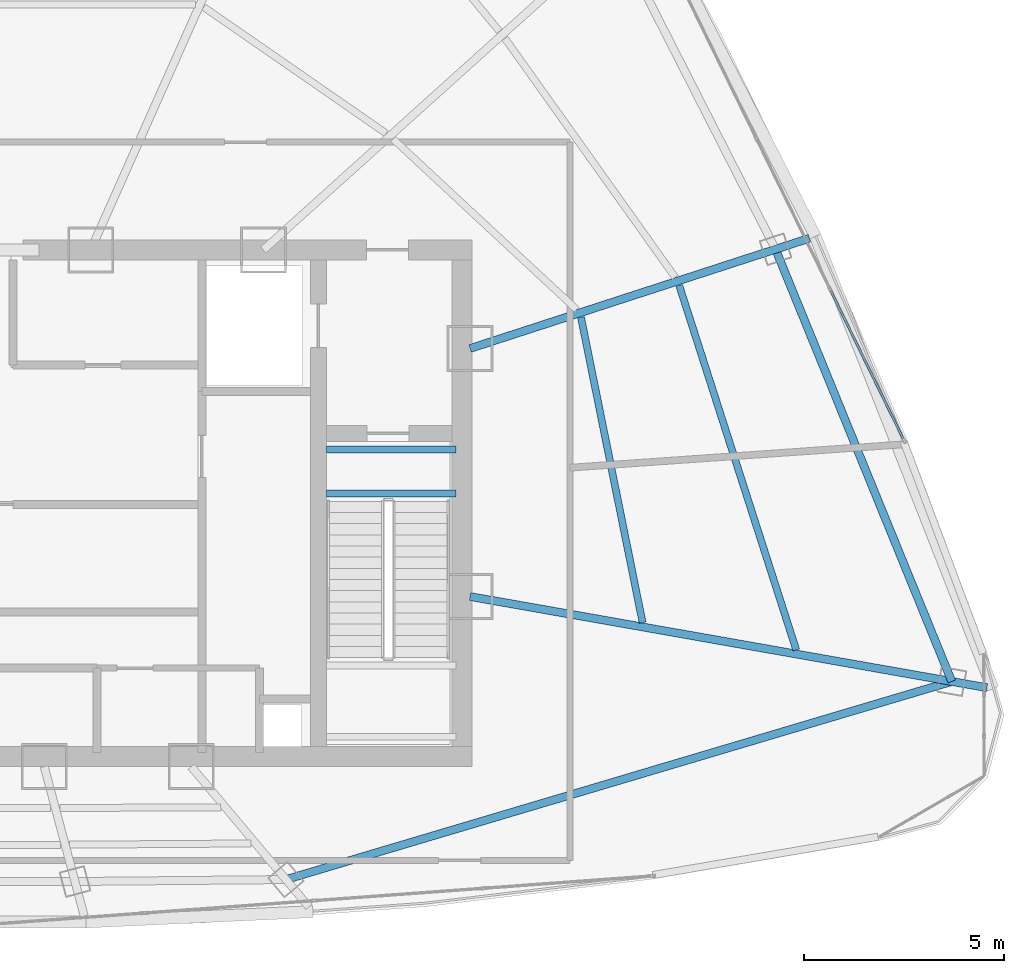
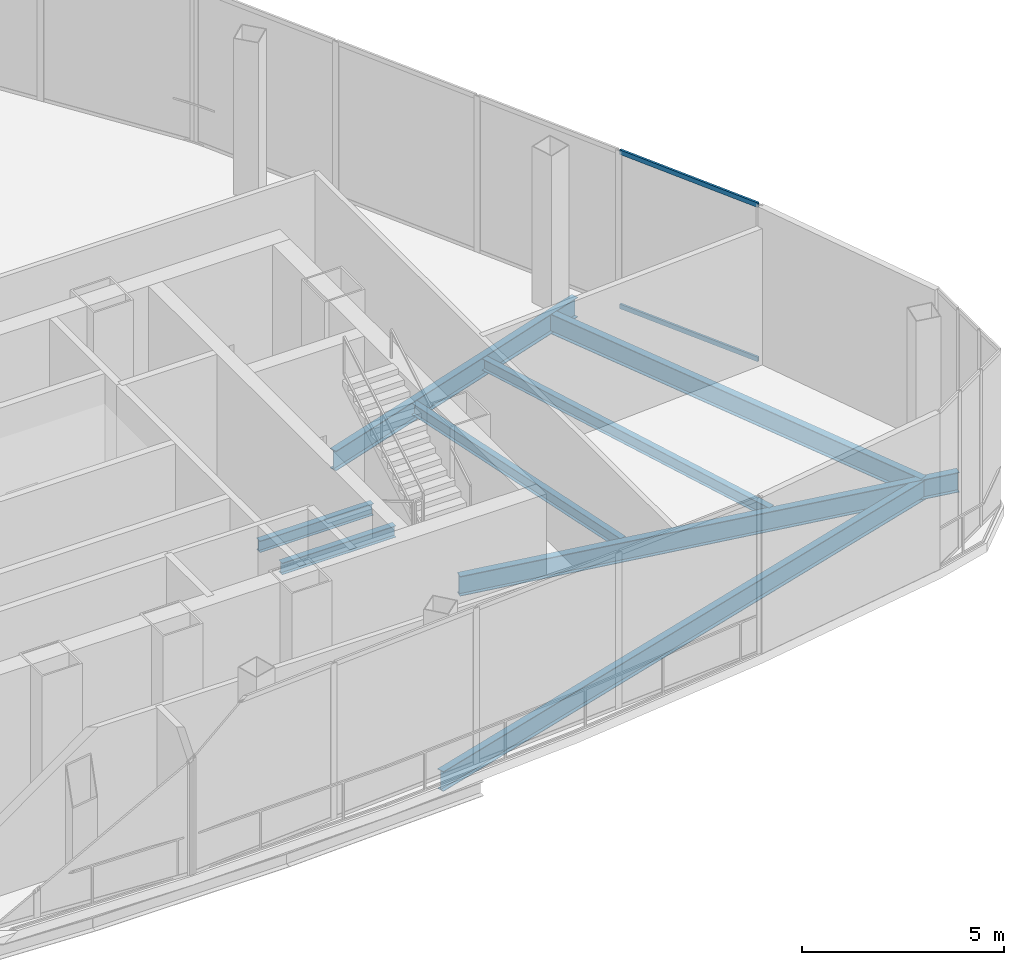
# One storey, part 15 of 33: 8 beams, 2 members, 1 element without a shape of its own.
"""IFC4 building model written with IfcOpenShell, lengths in metres."""

import ifcopenshell
import ifcopenshell.guid

model = None  # the IFC model being written
_history = None  # IfcOwnerHistory: only IFC2X3 demands one
_inside = {}  # id of a spatial element -> (the spatial element, [elements in it])
_under = {}  # id of a project, library or spatial element -> (it, [spatial elements below it])
_declared = {}  # id of a project -> (the project, [libraries it declares])
_typed = {}  # id of a type object -> (the type object, [elements of that type])
_made_of = {}  # id of a material, layer set ... -> (it, [elements and type objects made of it])


def new_model(schema):
    """Start an empty IFC model of exactly this schema.

    Asked for "IFC4X3", IfcOpenShell would pick the latest addendum, in which some entities
    have other attributes; the version numbers below select the first issue.
    IFC2X3 requires an IfcOwnerHistory on every rooted entity: one is made here for all.
    """
    global model, _history
    if schema == "IFC4X3":
        model = ifcopenshell.file(schema_version=(4, 3, 0, 0))
    else:
        model = ifcopenshell.file(schema=schema)
    _inside.clear()
    _under.clear()
    _declared.clear()
    _typed.clear()
    _made_of.clear()
    _history = None
    if model.schema == "IFC2X3":
        org = make("IfcOrganization", Name="unknown")
        user = make(
            "IfcPersonAndOrganization",
            ThePerson=make("IfcPerson", FamilyName="unknown"),
            TheOrganization=org,
        )
        app = make(
            "IfcApplication",
            ApplicationDeveloper=org,
            Version="unknown",
            ApplicationFullName="unknown",
            ApplicationIdentifier="unknown",
        )
        _history = make(
            "IfcOwnerHistory",
            OwningUser=user,
            OwningApplication=app,
            ChangeAction="ADDED",
            CreationDate=0,
        )
    return model


def make(cls, **values):
    """One entity of the class cls with the attributes given. An attribute that is None is left unset."""
    return model.create_entity(
        cls, **{name: value for name, value in values.items() if value is not None}
    )


def rooted(cls, **values):
    """An entity with a GlobalId (a new one), such as an element, a storey or a relation."""
    return make(cls, GlobalId=ifcopenshell.guid.new(), OwnerHistory=_history, **values)


def si_unit(unit_type, name, prefix=None):
    """IfcSIUnit, for example si_unit("LENGTHUNIT", "METRE", prefix="MILLI")."""
    return make("IfcSIUnit", UnitType=unit_type, Prefix=prefix, Name=name)


def assignment(units):
    """IfcUnitAssignment: the units of a project."""
    return None if units is None else make("IfcUnitAssignment", Units=units)


def point(xyz):
    """IfcCartesianPoint."""
    return None if xyz is None else make("IfcCartesianPoint", Coordinates=xyz)


def direction(xyz):
    """IfcDirection."""
    return None if xyz is None else make("IfcDirection", DirectionRatios=xyz)


def frame(location, z_axis=None, x_axis=None):
    """IfcAxis2Placement3D, a coordinate frame: its origin and axes. An axis left out is left unset."""
    return make(
        "IfcAxis2Placement3D",
        Location=point(location),
        Axis=direction(z_axis),
        RefDirection=direction(x_axis),
    )


def frame_2d(location, x_axis=None):
    """IfcAxis2Placement2D, a coordinate frame in the plane: its origin and x axis."""
    return make(
        "IfcAxis2Placement2D", Location=point(location), RefDirection=direction(x_axis)
    )


def origin():
    """The frame at (0, 0, 0) with its axes left unset."""
    return frame((0.0, 0.0, 0.0))


def origin_2d():
    """The frame at (0, 0) in the plane with its x axis left unset."""
    return frame_2d((0.0, 0.0))


def place(relative_to, where):
    """IfcLocalPlacement: puts the frame where relative to a parent placement (None: the world)."""
    return make(
        "IfcLocalPlacement", PlacementRelTo=relative_to, RelativePlacement=where
    )


def context(
    kind, dimensions, precision=None, world=None, true_north=None, identifier=None
):
    """IfcGeometricRepresentationContext, for example the 3D "Model" context."""
    return make(
        "IfcGeometricRepresentationContext",
        ContextIdentifier=identifier,
        ContextType=kind,
        CoordinateSpaceDimension=dimensions,
        Precision=precision,
        WorldCoordinateSystem=world,
        TrueNorth=true_north,
    )


def subcontext(parent, identifier, kind, view, scale=None):
    """IfcGeometricRepresentationSubContext, for example "Body" below "Model"."""
    return make(
        "IfcGeometricRepresentationSubContext",
        ContextIdentifier=identifier,
        ContextType=kind,
        ParentContext=parent,
        TargetScale=scale,
        TargetView=view,
    )


def project(units=None, contexts=None):
    """IfcProject with its units and contexts."""
    return rooted(
        "IfcProject",
        Name="project",
        RepresentationContexts=contexts,
        UnitsInContext=assignment(units),
    )


def spatial(cls, under=None, at=None, **own):
    """A site, building, storey or space (cls), placed at a placement, below another one or the project."""
    s = rooted(cls, ObjectPlacement=at, **own)
    if under is not None:
        _under.setdefault(under.id(), (under, []))[1].append(s)
    return s


def profile(cls, at=None, kind="AREA", **sizes):
    """A parametric profile (cls). Its sizes go by their IFC names, for example OverallWidth=200.0."""
    return make(cls, ProfileType=kind, Position=at, **sizes)


def hollow_rectangle(**sizes):
    """IfcRectangleHollowProfileDef."""
    return profile("IfcRectangleHollowProfileDef", **sizes)


def i_section(**sizes):
    """IfcIShapeProfileDef."""
    return profile("IfcIShapeProfileDef", **sizes)


def extrude(swept, where, along, depth):
    """IfcExtrudedAreaSolid: the profile swept, set in the frame where, extruded along a direction by depth."""
    return make(
        "IfcExtrudedAreaSolid",
        SweptArea=swept,
        Position=where,
        ExtrudedDirection=direction(along),
        Depth=depth,
    )


def shape(context_of_items, identifier, shape_type, items):
    """IfcShapeRepresentation: the items that make up one representation, for example the "Body"."""
    return make(
        "IfcShapeRepresentation",
        ContextOfItems=context_of_items,
        RepresentationIdentifier=identifier,
        RepresentationType=shape_type,
        Items=items,
    )


def source(mapping_origin, context_of_items, identifier, shape_type, items):
    """IfcRepresentationMap: a shape defined once, which mapped items show again and again."""
    return make(
        "IfcRepresentationMap",
        MappingOrigin=mapping_origin,
        MappedRepresentation=shape(context_of_items, identifier, shape_type, items),
    )


def transform(
    local_origin,
    x_axis=None,
    y_axis=None,
    z_axis=None,
    scale=None,
    scale2=None,
    scale3=None,
    uniform=True,
):
    """IfcCartesianTransformationOperator3D, or its non-uniform kind. x_axis, y_axis, z_axis: its Axis1, 2, 3."""
    if uniform:
        return make(
            "IfcCartesianTransformationOperator3D",
            Axis1=direction(x_axis),
            Axis2=direction(y_axis),
            LocalOrigin=point(local_origin),
            Scale=scale,
            Axis3=direction(z_axis),
        )
    return make(
        "IfcCartesianTransformationOperator3DnonUniform",
        Axis1=direction(x_axis),
        Axis2=direction(y_axis),
        LocalOrigin=point(local_origin),
        Scale=scale,
        Axis3=direction(z_axis),
        Scale2=scale2,
        Scale3=scale3,
    )


def mapped(mapping_source, mapping_target):
    """IfcMappedItem: shows the shape of a source again, moved by a transform."""
    return make(
        "IfcMappedItem", MappingSource=mapping_source, MappingTarget=mapping_target
    )


def material(Name=None, Category=None):
    """IfcMaterial."""
    return make("IfcMaterial", Name=Name, Category=Category)


def layer(
    of_material, thickness, ventilated=None, Name=None, Category=None, Priority=None
):
    """IfcMaterialLayer: one layer of a wall or slab, of a material (None: an air gap)."""
    return make(
        "IfcMaterialLayer",
        Material=of_material,
        LayerThickness=thickness,
        IsVentilated=ventilated,
        Name=Name,
        Category=Category,
        Priority=Priority,
    )


def layer_set(layers, Name=None):
    """IfcMaterialLayerSet."""
    return make("IfcMaterialLayerSet", MaterialLayers=layers, LayerSetName=Name)


def material_profile(
    of_material, cross_section, Name=None, Category=None, Priority=None
):
    """IfcMaterialProfile: a cross section and its material."""
    return make(
        "IfcMaterialProfile",
        Name=Name,
        Material=of_material,
        Profile=cross_section,
        Priority=Priority,
        Category=Category,
    )


def profile_set(profiles, Name=None, composite=None):
    """IfcMaterialProfileSet."""
    return make(
        "IfcMaterialProfileSet",
        Name=Name,
        MaterialProfiles=profiles,
        CompositeProfile=composite,
    )


def made_of(thing, what):
    """Note that an element or type object is made of a material, layer set ...; save() writes the relation."""
    if what is not None:
        _made_of.setdefault(what.id(), (what, []))[1].append(thing)
    return thing


def type_object(cls, material=None, **own):
    """A type object (cls), such as IfcWallType, which elements share."""
    return made_of(rooted(cls, **own), material)


def element(
    cls,
    number,
    at=None,
    inside=None,
    cuts=None,
    type_object=None,
    material=None,
    context=None,
    identifier="Body",
    shape_type=None,
    held_by="IfcProductDefinitionShape",
    body=None,
    shapes=None,
    **own,
):
    """One element of the class cls, such as IfcWall. Its Tag is "e" and its number.

    at: its placement. inside: the storey or other place that contains it. cuts: it is an
    opening in that element (IfcRelVoidsElement). A single representation is given by context,
    identifier, shape_type and body (its items); several are given by shapes. held_by: the class
    of the entity that holds the representations. save() writes the other relations.
    """
    e = rooted(cls, Tag="e%d" % number, ObjectPlacement=at, **own)
    if body is not None:
        shapes = [shape(context, identifier, shape_type, body)]
    if shapes is not None:
        e.Representation = make(held_by, Representations=shapes)
    if inside is not None:
        _inside.setdefault(inside.id(), (inside, []))[1].append(e)
    if cuts is not None:
        rooted(
            "IfcRelVoidsElement", RelatingBuildingElement=cuts, RelatedOpeningElement=e
        )
    if type_object is not None:
        _typed.setdefault(type_object.id(), (type_object, []))[1].append(e)
    return made_of(e, material)


def aggregate(whole, parts):
    """IfcRelAggregates: a whole, such as a stair, and the parts it consists of."""
    return rooted("IfcRelAggregates", RelatingObject=whole, RelatedObjects=parts)


def save(model, path):
    """Write the relations noted so far, then the file.

    IfcRelAggregates (storeys below a building ...), IfcRelContainedInSpatialStructure (elements
    in a storey), IfcRelDefinesByType, IfcRelAssociatesMaterial and IfcRelDeclares: one each for
    every whole, place, type object, material and project.
    """
    for whole, parts in _under.values():
        aggregate(whole, parts)
    for where, things in _inside.values():
        rooted(
            "IfcRelContainedInSpatialStructure",
            RelatedElements=things,
            RelatingStructure=where,
        )
    for kind, things in _typed.values():
        rooted("IfcRelDefinesByType", RelatedObjects=things, RelatingType=kind)
    for what, things in _made_of.values():
        rooted("IfcRelAssociatesMaterial", RelatedObjects=things, RelatingMaterial=what)
    for by, libraries in _declared.values():
        rooted("IfcRelDeclares", RelatingContext=by, RelatedDefinitions=libraries)
    model.write(path)


model = new_model("IFC4")

# Units and contexts
model_context = context("Model", 3, precision=1e-05, world=origin(), true_north=direction((0.0, 1.0)))
body_context = subcontext(model_context, "Body", "Model", "MODEL_VIEW")
ifc_project = project(units=[si_unit("LENGTHUNIT", "METRE"), si_unit("AREAUNIT", "SQUARE_METRE"), si_unit("VOLUMEUNIT", "CUBIC_METRE"), si_unit("PLANEANGLEUNIT", "RADIAN"), si_unit("MASSUNIT", "GRAM", prefix="KILO"), si_unit("THERMODYNAMICTEMPERATUREUNIT", "KELVIN"), si_unit("POWERUNIT", "WATT")], contexts=[model_context])

# Site, building, storey
site_placement = place(None, origin())
site = spatial("IfcSite", under=ifc_project, at=site_placement, CompositionType="ELEMENT")
building_placement = place(site_placement, origin())
building = spatial("IfcBuilding", under=site, at=building_placement, Name="Yunzhuo Pagoda Commons", CompositionType="ELEMENT")
storey_placement = place(building_placement, frame((0.0, 0.0, 386.760009765625)))
storey = spatial("IfcBuildingStorey", under=building, at=storey_placement, Name="L96", CompositionType="ELEMENT", Elevation=386.760009765625)

# Beams
ifc_material_1 = material(Name="Structural steel Q355B", Category="steel")
ifc_material_profile_1 = material_profile(ifc_material_1, i_section(OverallWidth=0.175048828125, OverallDepth=0.35009765625, WebThickness=0.007080078125, FlangeThickness=0.010986328125, at=origin_2d()), Name="Structural steel Q355B")
ifc_profile_set_1 = profile_set([ifc_material_profile_1], Name="Structural steel Q355B")
beam_type_1 = type_object("IfcBeamType", Name="B-JS2 Joist HN 350x175x7x11", PredefinedType="JOIST", material=ifc_profile_set_1)
shared_shape_1 = source(origin(), body_context, "Body", "SweptSolid", [
    extrude(i_section(OverallWidth=0.175048828125, OverallDepth=0.35009765625, WebThickness=0.007080078125, FlangeThickness=0.010986328125, at=origin_2d()), origin(), (0.0, 0.0, 1.0), 3.25),
])
for number, where, z_axis, x_axis, name in (
    (1, (56.800048828125, 34.10009765625, -0.375), (1.0, 0.0, 0.0), (0.0, 1.0, 0.0), "L96 ST2 landing support beam 200A"),
    (2, (56.800048828125, 35.199951171875, -0.375), (1.0, 0.0, 0.0), (0.0, 1.0, 0.0), "L96 ST2 landing support beam 200B"),
):
    element("IfcBeam", number, at=place(storey_placement, frame(where, z_axis=z_axis, x_axis=x_axis)), inside=storey, type_object=beam_type_1, Name=name, PredefinedType="JOIST", context=body_context, shape_type="MappedRepresentation", body=[
        mapped(shared_shape_1, transform((0.0, 0.0, 0.0), scale=1.0)),
    ])
ifc_material_profile_2 = material_profile(ifc_material_1, i_section(OverallWidth=0.199951171875, OverallDepth=0.60009765625, WebThickness=0.010986328125, FlangeThickness=0.01708984375, at=origin_2d()), Name="Structural steel Q355B")
ifc_profile_set_2 = profile_set([ifc_material_profile_2], Name="Structural steel Q355B")
beam_type_2 = type_object("IfcBeamType", Name="B-RG3 Beam HN 600x200x11x17", PredefinedType="BEAM", material=ifc_profile_set_2)
shared_shape_2 = source(origin(), body_context, "Body", "SweptSolid", [
    extrude(i_section(OverallWidth=0.199951171875, OverallDepth=0.60009765625, WebThickness=0.010986328125, FlangeThickness=0.01708984375, at=origin_2d()), origin(), (0.0, 0.0, 1.0), 17.407470703125),
])
beam_1_placement = place(storey_placement, frame((55.785400390625, 24.421630859375, -0.580078125), z_axis=(0.958484984609, 0.285143006717, 0.0), x_axis=(-0.285143006717, 0.958484984609, 0.0)))
element("IfcBeam", 3, at=beam_1_placement, inside=storey, type_object=beam_type_2, Name="L96 column-ring beam 4", PredefinedType="BEAM", context=body_context, shape_type="MappedRepresentation", body=[
    mapped(shared_shape_2, transform((0.0, 0.0, 0.0), scale=1.0)),
])
shared_shape_3 = source(origin(), body_context, "Body", "SweptSolid", [
    extrude(i_section(OverallWidth=0.199951171875, OverallDepth=0.60009765625, WebThickness=0.010986328125, FlangeThickness=0.01708984375, at=origin_2d()), origin(), (0.0, 0.0, 1.0), 11.696533203125),
])
beam_2_placement = place(storey_placement, frame((72.47021484375, 29.38525390625, -0.580078125), z_axis=(-0.377611800863, 0.925963999219, 0.0), x_axis=(-0.925963999219, -0.377611800863, 0.0)))
element("IfcBeam", 4, at=beam_2_placement, inside=storey, type_object=beam_type_2, Name="L96 column-ring beam 5", PredefinedType="BEAM", context=body_context, shape_type="MappedRepresentation", body=[
    mapped(shared_shape_3, transform((0.0, 0.0, 0.0), scale=1.0)),
])
shared_shape_4 = source(origin(), body_context, "Body", "SweptSolid", [
    extrude(i_section(OverallWidth=0.175048828125, OverallDepth=0.35009765625, WebThickness=0.007080078125, FlangeThickness=0.010986328125, at=origin_2d()), origin(), (0.0, 0.0, 1.0), 7.8056640625),
])
beam_3_placement = place(storey_placement, frame((64.722412109375, 30.860107421875, -0.455078125), z_axis=(-0.197830082137, 0.980236327934, 0.0), x_axis=(-0.980236327934, -0.197830082137, 0.0)))
element("IfcBeam", 5, at=beam_3_placement, inside=storey, type_object=beam_type_1, Name="L96 composite ring joist 1.5", PredefinedType="JOIST", context=body_context, shape_type="MappedRepresentation", body=[
    mapped(shared_shape_4, transform((0.0, 0.0, 0.0), scale=1.0)),
])
shared_shape_5 = source(origin(), body_context, "Body", "SweptSolid", [
    extrude(i_section(OverallWidth=0.175048828125, OverallDepth=0.35009765625, WebThickness=0.007080078125, FlangeThickness=0.010986328125, at=origin_2d()), origin(), (0.0, 0.0, 1.0), 9.593994140625),
])
beam_4_placement = place(storey_placement, frame((68.572509765625, 30.17578125, -0.455078125), z_axis=(-0.305719218499, 0.952121714614, 0.0), x_axis=(-0.952121714614, -0.305719218499, 0.0)))
element("IfcBeam", 6, at=beam_4_placement, inside=storey, type_object=beam_type_1, Name="L96 composite ring joist 2.5", PredefinedType="JOIST", context=body_context, shape_type="MappedRepresentation", body=[
    mapped(shared_shape_5, transform((0.0, 0.0, 0.0), scale=1.0)),
])
shared_shape_6 = source(origin(), body_context, "Body", "SweptSolid", [
    extrude(i_section(OverallWidth=0.199951171875, OverallDepth=0.60009765625, WebThickness=0.010986328125, FlangeThickness=0.01708984375, at=origin_2d()), origin(), (0.0, 0.0, 1.0), 13.151611328125),
])
beam_5_placement = place(storey_placement, frame((73.351806640625, 29.229736328125, -0.580078125), z_axis=(-0.98480877727, 0.173642368713, 0.0), x_axis=(-0.173642368713, -0.98480877727, 0.0)))
element("IfcBeam", 7, at=beam_5_placement, inside=storey, type_object=beam_type_2, Name="L96 radial floor girder F2C1", PredefinedType="BEAM", context=body_context, shape_type="MappedRepresentation", body=[
    mapped(shared_shape_6, transform((0.0, 0.0, 0.0), scale=1.0)),
])
shared_shape_7 = source(origin(), body_context, "Body", "SweptSolid", [
    extrude(i_section(OverallWidth=0.199951171875, OverallDepth=0.60009765625, WebThickness=0.010986328125, FlangeThickness=0.01708984375, at=origin_2d()), origin(), (0.0, 0.0, 1.0), 8.942626953125),
])
beam_6_placement = place(storey_placement, frame((68.90478515625, 40.492431640625, -0.580078125), z_axis=(-0.951055734301, -0.309019401095, 0.0), x_axis=(0.309019401095, -0.951055734301, 0.0)))
element("IfcBeam", 8, at=beam_6_placement, inside=storey, type_object=beam_type_2, Name="L96 radial floor girder F2C2", PredefinedType="BEAM", context=body_context, shape_type="MappedRepresentation", body=[
    mapped(shared_shape_7, transform((0.0, 0.0, 0.0), scale=1.0)),
])

# Curtain wall, members
ifc_material_2 = material(Name="Anodized aluminium 6063-T6", Category="aluminium")
ifc_layer = layer(ifc_material_2, 0.179931640625)
ifc_layer_set = layer_set([ifc_layer], Name="Anodized aluminium 6063-T6")
curtain_wall_type = type_object("IfcCurtainWallType", Name="CW-CRN Crown Gable Glazing System", PredefinedType="NOTDEFINED", material=ifc_layer_set)
curtain_wall_placement = place(storey_placement, origin())
curtain_wall = element("IfcCurtainWall", 9, at=curtain_wall_placement, inside=storey, type_object=curtain_wall_type, Name="L96 curtain wall CW-L96-CRNF2G1", PredefinedType="NOTDEFINED")
ifc_material_profile_3 = material_profile(ifc_material_2, hollow_rectangle(XDim=0.06005859375, YDim=0.139892578125, WallThickness=0.00341796875, at=origin_2d()), Name="Anodized aluminium 6063-T6")
ifc_profile_set_3 = profile_set([ifc_material_profile_3], Name="Anodized aluminium 6063-T6")
member_type = type_object("IfcMemberType", Name="CW-CRN-T Transom RHS 140x60x3.5", PredefinedType="USERDEFINED", material=ifc_profile_set_3)
shared_shape_8 = source(origin(), body_context, "Body", "SweptSolid", [
    extrude(hollow_rectangle(XDim=0.06005859375, YDim=0.139892578125, WallThickness=0.00341796875, at=origin_2d()), origin(), (0.0, 0.0, 1.0), 4.12548828125),
])
member_1_placement = place(storey_placement, frame((71.2529296875, 35.467529296875, 0.030029296875), z_axis=(-0.439456356664, 0.898263942607, 0.0), x_axis=(-0.898263942607, -0.439456356664, 0.0)))
member_1 = element("IfcMember", 10, at=member_1_placement, type_object=member_type, Name="CW transom 1.1", ObjectType="TRANSOM", PredefinedType="USERDEFINED", context=body_context, shape_type="MappedRepresentation", body=[
    mapped(shared_shape_8, transform((0.0, 0.0, 0.0), scale=1.0)),
])
member_2_placement = place(storey_placement, frame((71.2529296875, 35.467529296875, 4.68994140625), z_axis=(-0.439456356664, 0.898263942607, 0.0), x_axis=(-0.898263942607, -0.439456356664, 0.0)))
member_2 = element("IfcMember", 11, at=member_2_placement, type_object=member_type, Name="CW transom 1.2", ObjectType="TRANSOM", PredefinedType="USERDEFINED", context=body_context, shape_type="MappedRepresentation", body=[
    mapped(shared_shape_8, transform((0.0, 0.0, 0.0), scale=1.0)),
])
aggregate(curtain_wall, [member_1, member_2])

save(model, "model.ifc")
